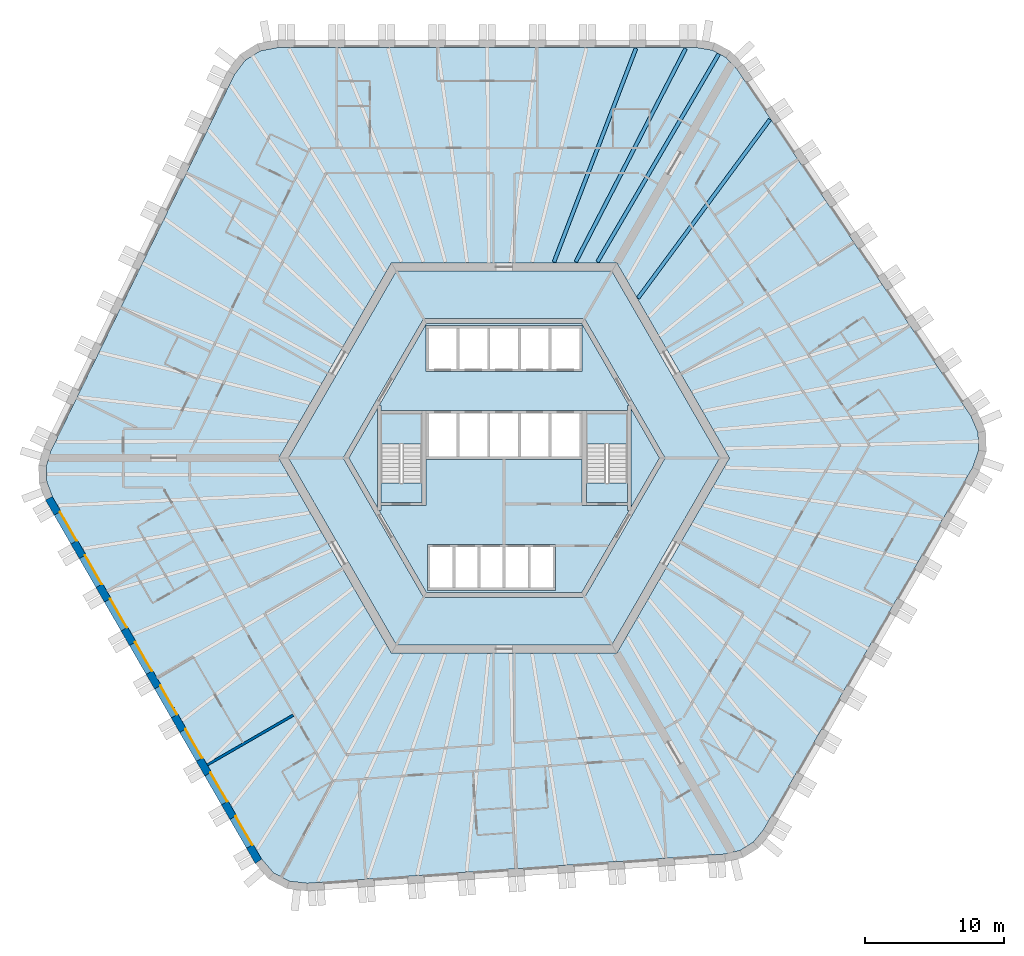
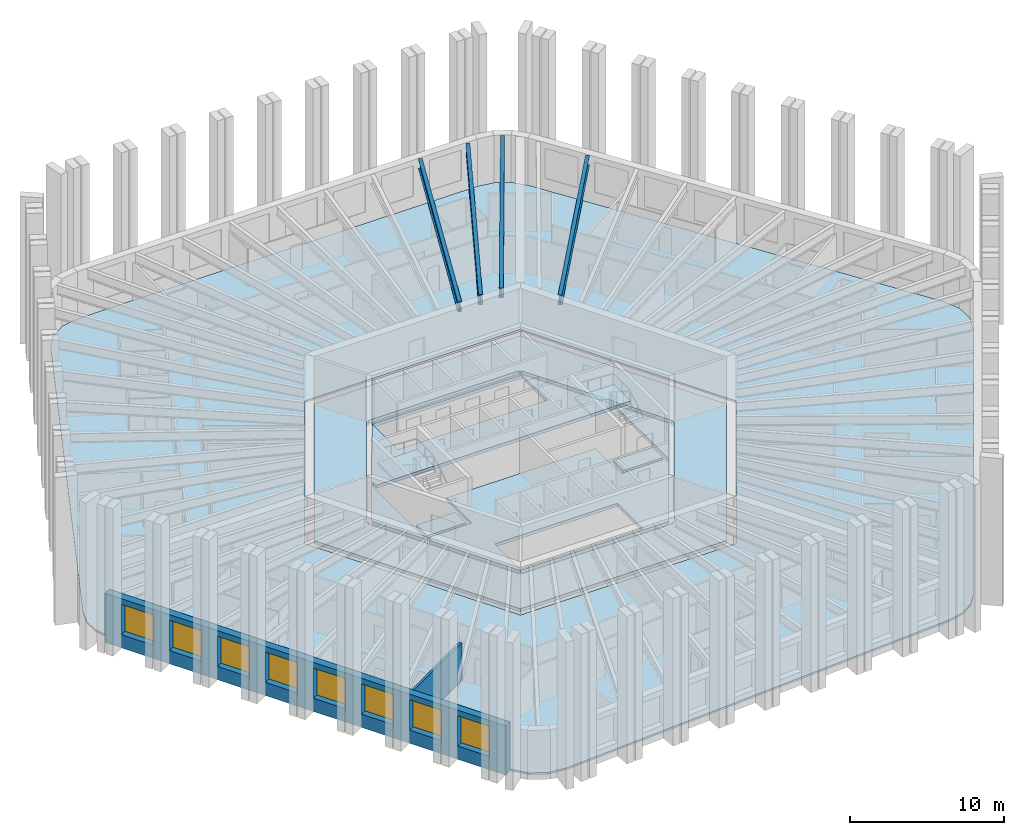
# One storey, part 2 of 12: 10 slabs, 8 windows, 4 beams, 2 walls, 8 openings, 2 elements without a shape of their own.
"""IFC4 building model written with IfcOpenShell, lengths in metres."""

import ifcopenshell
import ifcopenshell.guid

model = None  # the IFC model being written
_history = None  # IfcOwnerHistory: only IFC2X3 demands one
_inside = {}  # id of a spatial element -> (the spatial element, [elements in it])
_under = {}  # id of a project, library or spatial element -> (it, [spatial elements below it])
_declared = {}  # id of a project -> (the project, [libraries it declares])
_typed = {}  # id of a type object -> (the type object, [elements of that type])
_made_of = {}  # id of a material, layer set ... -> (it, [elements and type objects made of it])


def new_model(schema):
    """Start an empty IFC model of exactly this schema.

    Asked for "IFC4X3", IfcOpenShell would pick the latest addendum, in which some entities
    have other attributes; the version numbers below select the first issue.
    IFC2X3 requires an IfcOwnerHistory on every rooted entity: one is made here for all.
    """
    global model, _history
    if schema == "IFC4X3":
        model = ifcopenshell.file(schema_version=(4, 3, 0, 0))
    else:
        model = ifcopenshell.file(schema=schema)
    _inside.clear()
    _under.clear()
    _declared.clear()
    _typed.clear()
    _made_of.clear()
    _history = None
    if model.schema == "IFC2X3":
        org = make("IfcOrganization", Name="unknown")
        user = make(
            "IfcPersonAndOrganization",
            ThePerson=make("IfcPerson", FamilyName="unknown"),
            TheOrganization=org,
        )
        app = make(
            "IfcApplication",
            ApplicationDeveloper=org,
            Version="unknown",
            ApplicationFullName="unknown",
            ApplicationIdentifier="unknown",
        )
        _history = make(
            "IfcOwnerHistory",
            OwningUser=user,
            OwningApplication=app,
            ChangeAction="ADDED",
            CreationDate=0,
        )
    return model


def make(cls, **values):
    """One entity of the class cls with the attributes given. An attribute that is None is left unset."""
    return model.create_entity(
        cls, **{name: value for name, value in values.items() if value is not None}
    )


def rooted(cls, **values):
    """An entity with a GlobalId (a new one), such as an element, a storey or a relation."""
    return make(cls, GlobalId=ifcopenshell.guid.new(), OwnerHistory=_history, **values)


def si_unit(unit_type, name, prefix=None):
    """IfcSIUnit, for example si_unit("LENGTHUNIT", "METRE", prefix="MILLI")."""
    return make("IfcSIUnit", UnitType=unit_type, Prefix=prefix, Name=name)


def assignment(units):
    """IfcUnitAssignment: the units of a project."""
    return None if units is None else make("IfcUnitAssignment", Units=units)


def point(xyz):
    """IfcCartesianPoint."""
    return None if xyz is None else make("IfcCartesianPoint", Coordinates=xyz)


def direction(xyz):
    """IfcDirection."""
    return None if xyz is None else make("IfcDirection", DirectionRatios=xyz)


def frame(location, z_axis=None, x_axis=None):
    """IfcAxis2Placement3D, a coordinate frame: its origin and axes. An axis left out is left unset."""
    return make(
        "IfcAxis2Placement3D",
        Location=point(location),
        Axis=direction(z_axis),
        RefDirection=direction(x_axis),
    )


def frame_2d(location, x_axis=None):
    """IfcAxis2Placement2D, a coordinate frame in the plane: its origin and x axis."""
    return make(
        "IfcAxis2Placement2D", Location=point(location), RefDirection=direction(x_axis)
    )


def origin():
    """The frame at (0, 0, 0) with its axes left unset."""
    return frame((0.0, 0.0, 0.0))


def origin_2d():
    """The frame at (0, 0) in the plane with its x axis left unset."""
    return frame_2d((0.0, 0.0))


def place(relative_to, where):
    """IfcLocalPlacement: puts the frame where relative to a parent placement (None: the world)."""
    return make(
        "IfcLocalPlacement", PlacementRelTo=relative_to, RelativePlacement=where
    )


def context(
    kind, dimensions, precision=None, world=None, true_north=None, identifier=None
):
    """IfcGeometricRepresentationContext, for example the 3D "Model" context."""
    return make(
        "IfcGeometricRepresentationContext",
        ContextIdentifier=identifier,
        ContextType=kind,
        CoordinateSpaceDimension=dimensions,
        Precision=precision,
        WorldCoordinateSystem=world,
        TrueNorth=true_north,
    )


def subcontext(parent, identifier, kind, view, scale=None):
    """IfcGeometricRepresentationSubContext, for example "Body" below "Model"."""
    return make(
        "IfcGeometricRepresentationSubContext",
        ContextIdentifier=identifier,
        ContextType=kind,
        ParentContext=parent,
        TargetScale=scale,
        TargetView=view,
    )


def project(units=None, contexts=None):
    """IfcProject with its units and contexts."""
    return rooted(
        "IfcProject",
        Name="project",
        RepresentationContexts=contexts,
        UnitsInContext=assignment(units),
    )


def spatial(cls, under=None, at=None, **own):
    """A site, building, storey or space (cls), placed at a placement, below another one or the project."""
    s = rooted(cls, ObjectPlacement=at, **own)
    if under is not None:
        _under.setdefault(under.id(), (under, []))[1].append(s)
    return s


def polyline(points):
    """IfcPolyline through the points."""
    return make("IfcPolyline", Points=[point(p) for p in points])


def profile(cls, at=None, kind="AREA", **sizes):
    """A parametric profile (cls). Its sizes go by their IFC names, for example OverallWidth=200.0."""
    return make(cls, ProfileType=kind, Position=at, **sizes)


def rectangle(**sizes):
    """IfcRectangleProfileDef."""
    return profile("IfcRectangleProfileDef", **sizes)


def i_section(**sizes):
    """IfcIShapeProfileDef."""
    return profile("IfcIShapeProfileDef", **sizes)


def outline(outer, holes=None, kind="AREA"):
    """IfcArbitraryClosedProfileDef: a profile drawn as a closed curve; with holes, ...WithVoids."""
    if holes is None:
        return make("IfcArbitraryClosedProfileDef", ProfileType=kind, OuterCurve=outer)
    return make(
        "IfcArbitraryProfileDefWithVoids",
        ProfileType=kind,
        OuterCurve=outer,
        InnerCurves=holes,
    )


def extrude(swept, where, along, depth):
    """IfcExtrudedAreaSolid: the profile swept, set in the frame where, extruded along a direction by depth."""
    return make(
        "IfcExtrudedAreaSolid",
        SweptArea=swept,
        Position=where,
        ExtrudedDirection=direction(along),
        Depth=depth,
    )


def shape(context_of_items, identifier, shape_type, items):
    """IfcShapeRepresentation: the items that make up one representation, for example the "Body"."""
    return make(
        "IfcShapeRepresentation",
        ContextOfItems=context_of_items,
        RepresentationIdentifier=identifier,
        RepresentationType=shape_type,
        Items=items,
    )


def material(Name=None, Category=None):
    """IfcMaterial."""
    return make("IfcMaterial", Name=Name, Category=Category)


def layer(
    of_material, thickness, ventilated=None, Name=None, Category=None, Priority=None
):
    """IfcMaterialLayer: one layer of a wall or slab, of a material (None: an air gap)."""
    return make(
        "IfcMaterialLayer",
        Material=of_material,
        LayerThickness=thickness,
        IsVentilated=ventilated,
        Name=Name,
        Category=Category,
        Priority=Priority,
    )


def layer_set(layers, Name=None):
    """IfcMaterialLayerSet."""
    return make("IfcMaterialLayerSet", MaterialLayers=layers, LayerSetName=Name)


def material_profile(
    of_material, cross_section, Name=None, Category=None, Priority=None
):
    """IfcMaterialProfile: a cross section and its material."""
    return make(
        "IfcMaterialProfile",
        Name=Name,
        Material=of_material,
        Profile=cross_section,
        Priority=Priority,
        Category=Category,
    )


def profile_set(profiles, Name=None, composite=None):
    """IfcMaterialProfileSet."""
    return make(
        "IfcMaterialProfileSet",
        Name=Name,
        MaterialProfiles=profiles,
        CompositeProfile=composite,
    )


def made_of(thing, what):
    """Note that an element or type object is made of a material, layer set ...; save() writes the relation."""
    if what is not None:
        _made_of.setdefault(what.id(), (what, []))[1].append(thing)
    return thing


def type_object(cls, material=None, **own):
    """A type object (cls), such as IfcWallType, which elements share."""
    return made_of(rooted(cls, **own), material)


def element(
    cls,
    number,
    at=None,
    inside=None,
    cuts=None,
    type_object=None,
    material=None,
    context=None,
    identifier="Body",
    shape_type=None,
    held_by="IfcProductDefinitionShape",
    body=None,
    shapes=None,
    **own,
):
    """One element of the class cls, such as IfcWall. Its Tag is "e" and its number.

    at: its placement. inside: the storey or other place that contains it. cuts: it is an
    opening in that element (IfcRelVoidsElement). A single representation is given by context,
    identifier, shape_type and body (its items); several are given by shapes. held_by: the class
    of the entity that holds the representations. save() writes the other relations.
    """
    e = rooted(cls, Tag="e%d" % number, ObjectPlacement=at, **own)
    if body is not None:
        shapes = [shape(context, identifier, shape_type, body)]
    if shapes is not None:
        e.Representation = make(held_by, Representations=shapes)
    if inside is not None:
        _inside.setdefault(inside.id(), (inside, []))[1].append(e)
    if cuts is not None:
        rooted(
            "IfcRelVoidsElement", RelatingBuildingElement=cuts, RelatedOpeningElement=e
        )
    if type_object is not None:
        _typed.setdefault(type_object.id(), (type_object, []))[1].append(e)
    return made_of(e, material)


def fill(opening, filler):
    """IfcRelFillsElement: the door or window that sits in an opening."""
    return rooted(
        "IfcRelFillsElement",
        RelatingOpeningElement=opening,
        RelatedBuildingElement=filler,
    )


def aggregate(whole, parts):
    """IfcRelAggregates: a whole, such as a stair, and the parts it consists of."""
    return rooted("IfcRelAggregates", RelatingObject=whole, RelatedObjects=parts)


def save(model, path):
    """Write the relations noted so far, then the file.

    IfcRelAggregates (storeys below a building ...), IfcRelContainedInSpatialStructure (elements
    in a storey), IfcRelDefinesByType, IfcRelAssociatesMaterial and IfcRelDeclares: one each for
    every whole, place, type object, material and project.
    """
    for whole, parts in _under.values():
        aggregate(whole, parts)
    for where, things in _inside.values():
        rooted(
            "IfcRelContainedInSpatialStructure",
            RelatedElements=things,
            RelatingStructure=where,
        )
    for kind, things in _typed.values():
        rooted("IfcRelDefinesByType", RelatedObjects=things, RelatingType=kind)
    for what, things in _made_of.values():
        rooted("IfcRelAssociatesMaterial", RelatedObjects=things, RelatingMaterial=what)
    for by, libraries in _declared.values():
        rooted("IfcRelDeclares", RelatingContext=by, RelatedDefinitions=libraries)
    model.write(path)


model = new_model("IFC4")

# Units and contexts
model_context = context("Model", 3, precision=1e-05, world=origin(), true_north=direction((0.0, 1.0)))
body_context = subcontext(model_context, "Body", "Model", "MODEL_VIEW")
ifc_project = project(units=[si_unit("LENGTHUNIT", "METRE"), si_unit("AREAUNIT", "SQUARE_METRE"), si_unit("VOLUMEUNIT", "CUBIC_METRE"), si_unit("PLANEANGLEUNIT", "RADIAN"), si_unit("MASSUNIT", "GRAM", prefix="KILO")], contexts=[model_context])

# Site, building, storey
site_placement = place(None, origin())
site = spatial("IfcSite", under=ifc_project, at=site_placement, CompositionType="ELEMENT")
building_placement = place(site_placement, origin())
building = spatial("IfcBuilding", under=site, at=building_placement, Name="Tarnside Tower", CompositionType="ELEMENT")
storey_placement = place(building_placement, frame((0.0, 0.0, 99.89990234375)))
storey = spatial("IfcBuildingStorey", under=building, at=storey_placement, Name="L22", CompositionType="ELEMENT", Elevation=99.89990234375)

# Beams
ifc_material_1 = material(Name="Steel S355", Category="steel")
ifc_material_profile = material_profile(ifc_material_1, i_section(OverallWidth=0.2666015625, OverallDepth=0.76220703125, WebThickness=0.014404296875, FlangeThickness=0.021484375, FilletRadius=0.0166015625, at=origin_2d()), Name="UB 762x267x173")
ifc_profile_set = profile_set([ifc_material_profile], Name="Steel S355")
beam_type = type_object("IfcBeamType", Name="Floor beam UB 762x267x173", PredefinedType="BEAM", material=ifc_profile_set)
beam_1_placement = place(storey_placement, frame((13.0283203125, 29.37890625, 3.368896484375), z_axis=(-0.457973226459, -0.888965985765, 0.0), x_axis=(0.888965985765, -0.457973226459, 0.0)))
element("IfcBeam", 1, at=beam_1_placement, inside=storey, type_object=beam_type, Name="Floor beam F1.01", PredefinedType="BEAM", context=body_context, shape_type="SweptSolid", body=[
    extrude(i_section(OverallWidth=0.2666015625, OverallDepth=0.76220703125, WebThickness=0.014404296875, FlangeThickness=0.021484375, FilletRadius=0.0166015625, at=origin_2d()), origin(), (0.0, 0.0, 1.0), 17.219970703125),
])
beam_2_placement = place(storey_placement, frame((9.4619140625, 29.39404296875, 3.368896484375), z_axis=(-0.358299847269, -0.933606565662, 0.0), x_axis=(0.933606565662, -0.358299847269, 0.0)))
element("IfcBeam", 2, at=beam_2_placement, inside=storey, type_object=beam_type, Name="Floor beam F1.02", PredefinedType="BEAM", context=body_context, shape_type="SweptSolid", body=[
    extrude(i_section(OverallWidth=0.2666015625, OverallDepth=0.76220703125, WebThickness=0.014404296875, FlangeThickness=0.021484375, FilletRadius=0.0166015625, at=origin_2d()), origin(), (0.0, 0.0, 1.0), 16.428955078125),
])
beam_3_placement = place(storey_placement, frame((19.072021484375, 24.28857421875, 3.368896484375), z_axis=(-0.593986893499, -0.804474717037, 0.0), x_axis=(0.804474717037, -0.593986893499, 0.0)))
element("IfcBeam", 3, at=beam_3_placement, inside=storey, type_object=beam_type, Name="Floor beam F6.08", PredefinedType="BEAM", context=body_context, shape_type="SweptSolid", body=[
    extrude(i_section(OverallWidth=0.2666015625, OverallDepth=0.76220703125, WebThickness=0.014404296875, FlangeThickness=0.021484375, FilletRadius=0.0166015625, at=origin_2d()), origin(), (0.0, 0.0, 1.0), 15.934326171875),
])
beam_4_placement = place(storey_placement, frame((15.4013671875, 28.990478515625, 3.368896484375), z_axis=(-0.503858723096, -0.863786077198, 0.0), x_axis=(0.863786077198, -0.503858723096, 0.0)))
element("IfcBeam", 4, at=beam_4_placement, inside=storey, type_object=beam_type, Name="Floor beam C6", PredefinedType="BEAM", context=body_context, shape_type="SweptSolid", body=[
    extrude(i_section(OverallWidth=0.2666015625, OverallDepth=0.76220703125, WebThickness=0.014404296875, FlangeThickness=0.021484375, FilletRadius=0.0166015625, at=origin_2d()), origin(), (0.0, 0.0, 1.0), 17.2744140625),
])

# Slabs
ifc_material_2 = material(Name="Concrete C35/45", Category="concrete")
ifc_layer_1 = layer(ifc_material_2, 0.14990234375)
ifc_layer_set_1 = layer_set([ifc_layer_1], Name="Composite floor slab 150")
slab_type_1 = type_object("IfcSlabType", Name="Composite floor slab 150", PredefinedType="FLOOR", material=ifc_layer_set_1)
slab_1_placement = place(storey_placement, frame((0.0, 0.0, -0.14990234375)))
element("IfcSlab", 5, at=slab_1_placement, inside=storey, type_object=slab_type_1, Name="Floor slab L22", PredefinedType="FLOOR", context=body_context, shape_type="SweptSolid", body=[
    extrude(outline(polyline([(14.927490234375, 29.264892578125), (15.91455078125, 28.740234375), (16.697265625, 27.91064453125), (33.48583984375, 3.0205078125), (34.001220703125, 1.825439453125), (34.0458984375, 0.55078125), (33.614990234375, -0.67724609375), (18.603515625, -26.677978515625), (17.880615234375, -27.56005859375), (16.9326171875, -28.15234375), (15.82275390625, -28.41552734375), (-14.127197265625, -30.509765625), (-15.419921875, -30.358642578125), (-16.5458984375, -29.760009765625), (-17.39404296875, -28.772705078125), (-32.405517578125, -2.772216796875), (-32.80810546875, -1.704833984375), (-32.846923828125, -0.587890625), (-32.52001953125, 0.5048828125), (-19.358642578125, 27.4892578125), (-18.58154296875, 28.533203125), (-17.5, 29.208984375), (-16.220947265625, 29.449951171875), (13.802001953125, 29.449951171875), (14.927490234375, 29.264892578125)]), holes=[polyline([(-16.165771484375, 0.0), (-8.0830078125, -14.0), (8.0830078125, -14.0), (16.165771484375, 0.0), (8.0830078125, 14.0), (-8.0830078125, 14.0), (-16.165771484375, 0.0)])]), origin(), (0.0, 0.0, 1.0), 0.14990234375),
])
ifc_material_3 = material(Name="Concrete C40/50", Category="concrete")
ifc_layer_2 = layer(ifc_material_3, 0.25)
ifc_layer_set_2 = layer_set([ifc_layer_2], Name="Core slab C40/50")
slab_type_2 = type_object("IfcSlabType", Name="Core slab C40/50", PredefinedType="FLOOR", material=ifc_layer_set_2)
slab_2_placement = place(storey_placement, frame((0.0, 0.0, -0.25)))
element("IfcSlab", 6, at=slab_2_placement, inside=storey, type_object=slab_type_2, Name="L22 core floor slab 1", PredefinedType="FLOOR", context=body_context, shape_type="SweptSolid", body=[
    extrude(outline(polyline([(-15.472900390625, 0.0), (-7.736572265625, 13.39990234375), (7.736572265625, 13.39990234375), (15.472900390625, 0.0), (7.736572265625, -13.39990234375), (-7.736572265625, -13.39990234375), (-15.472900390625, 0.0)]), holes=[polyline([(5.823974609375, -9.91259765625), (11.49658203125, -0.08740234375), (11.344970703125, 0.0), (11.49658203125, 0.08740234375), (5.823974609375, 9.91259765625), (5.672607421875, 9.824951171875), (5.672607421875, 10.0), (-5.672607421875, 10.0), (-5.672607421875, 9.824951171875), (-5.823974609375, 9.91259765625), (-11.49658203125, 0.08740234375), (-11.344970703125, 0.0), (-11.49658203125, -0.08740234375), (-5.823974609375, -9.91259765625), (-5.672607421875, -9.824951171875), (-5.672607421875, -10.0), (5.672607421875, -10.0), (5.672607421875, -9.824951171875), (5.823974609375, -9.91259765625)])]), origin(), (0.0, 0.0, 1.0), 0.25),
])
slab_3_placement = place(storey_placement, frame((0.0, 0.0, -0.25)))
element("IfcSlab", 7, at=slab_3_placement, inside=storey, type_object=slab_type_2, Name="L22 core floor slab 2", PredefinedType="FLOOR", context=body_context, shape_type="SweptSolid", body=[
    extrude(outline(polyline([(-8.97509765625, 3.7548828125), (-5.5712890625, 9.64990234375), (5.5712890625, 9.64990234375), (8.97509765625, 3.7548828125), (8.85009765625, 3.7548828125), (8.85009765625, 3.39990234375), (5.89990234375, 3.39990234375), (5.60009765625, 3.39990234375), (5.60009765625, 3.39990234375), (-5.60009765625, 3.39990234375), (-5.89990234375, 3.39990234375), (-8.85009765625, 3.39990234375), (-8.85009765625, 3.7548828125), (-8.97509765625, 3.7548828125)]), holes=[polyline([(-5.60009765625, 6.199951171875), (5.60009765625, 6.199951171875), (5.60009765625, 6.39990234375), (5.60009765625, 9.300048828125), (5.60009765625, 9.5), (-5.60009765625, 9.5), (-5.60009765625, 9.300048828125), (-5.60009765625, 6.39990234375), (-5.60009765625, 6.199951171875)])]), origin(), (0.0, 0.0, 1.0), 0.25),
])
slab_4_placement = place(storey_placement, frame((0.0, 0.0, -0.25)))
element("IfcSlab", 8, at=slab_4_placement, inside=storey, type_object=slab_type_2, Name="L22 core floor slab 3", PredefinedType="FLOOR", context=body_context, shape_type="SweptSolid", body=[
    extrude(outline(polyline([(5.60009765625, -3.39990234375), (5.89990234375, -3.39990234375), (8.85009765625, -3.39990234375), (8.85009765625, -3.7548828125), (8.97509765625, -3.7548828125), (5.5712890625, -9.64990234375), (-5.5712890625, -9.64990234375), (-8.97509765625, -3.7548828125), (-8.85009765625, -3.7548828125), (-8.85009765625, -3.39990234375), (-5.89990234375, -3.39990234375), (-5.60009765625, -3.39990234375), (-5.60009765625, -0.10009765625), (5.60009765625, -0.10009765625), (5.60009765625, -3.39990234375)]), holes=[polyline([(-5.5, -9.300048828125), (-5.5, -9.5), (3.699951171875, -9.5), (3.699951171875, -9.300048828125), (3.699951171875, -6.39990234375), (3.699951171875, -6.199951171875), (-5.5, -6.199951171875), (-5.5, -6.39990234375), (-5.5, -9.300048828125)])]), origin(), (0.0, 0.0, 1.0), 0.25),
])
slab_5_placement = place(storey_placement, frame((0.0, 0.0, -0.25)))
element("IfcSlab", 9, at=slab_5_placement, inside=storey, type_object=slab_type_2, Name="L22 core floor slab 4", PredefinedType="FLOOR", context=body_context, shape_type="SweptSolid", body=[
    extrude(outline(polyline([(-11.142822265625, 0.0), (-9.10009765625, 3.538330078125), (-9.10009765625, -3.538330078125), (-11.142822265625, 0.0)])), origin(), (0.0, 0.0, 1.0), 0.25),
])
slab_6_placement = place(storey_placement, frame((0.0, 0.0, -0.25)))
element("IfcSlab", 10, at=slab_6_placement, inside=storey, type_object=slab_type_2, Name="L22 core floor slab 5", PredefinedType="FLOOR", context=body_context, shape_type="SweptSolid", body=[
    extrude(outline(polyline([(-8.85009765625, -1.800048828125), (-5.89990234375, -1.800048828125), (-5.89990234375, -3.199951171875), (-8.85009765625, -3.199951171875), (-8.85009765625, -1.800048828125)])), origin(), (0.0, 0.0, 1.0), 0.25),
])
slab_7_placement = place(storey_placement, frame((0.0, 0.0, -0.25)))
element("IfcSlab", 11, at=slab_7_placement, inside=storey, type_object=slab_type_2, Name="L22 core floor slab 6", PredefinedType="FLOOR", context=body_context, shape_type="SweptSolid", body=[
    extrude(outline(polyline([(5.89990234375, -3.199951171875), (5.89990234375, -1.800048828125), (8.85009765625, -1.800048828125), (8.85009765625, -3.199951171875), (5.89990234375, -3.199951171875)])), origin(), (0.0, 0.0, 1.0), 0.25),
])
slab_8_placement = place(storey_placement, frame((0.0, 0.0, -0.25)))
element("IfcSlab", 12, at=slab_8_placement, inside=storey, type_object=slab_type_2, Name="L22 core floor slab 7", PredefinedType="FLOOR", context=body_context, shape_type="SweptSolid", body=[
    extrude(outline(polyline([(9.10009765625, -3.538330078125), (9.10009765625, 3.538330078125), (11.142822265625, 0.0), (9.10009765625, -3.538330078125)])), origin(), (0.0, 0.0, 1.0), 0.25),
])

# Stair, slab
stair_type = type_object("IfcStairType", Name="Exit stair 1400 clear", PredefinedType="HALF_TURN_STAIR", material=ifc_material_3)
stair_1_placement = place(storey_placement, origin())
stair_1 = element("IfcStair", 13, at=stair_1_placement, inside=storey, type_object=stair_type, Name="L22 Exit stair 1", PredefinedType="HALF_TURN_STAIR")
ifc_layer_3 = layer(ifc_material_3, 0.199951171875)
ifc_layer_set_3 = layer_set([ifc_layer_3], Name="Stair landing 200 C40/50")
slab_type_3 = type_object("IfcSlabType", Name="Stair landing 200 C40/50", PredefinedType="LANDING", material=ifc_layer_set_3)
slab_9_placement = place(storey_placement, frame((0.0, 0.0, 1.75)))
slab_9 = element("IfcSlab", 14, at=slab_9_placement, type_object=slab_type_3, Name="ST1 landing 1", PredefinedType="LANDING", context=body_context, shape_type="SweptSolid", body=[
    extrude(outline(polyline([(8.85009765625, 1.0), (8.85009765625, 3.199951171875), (5.89990234375, 3.199951171875), (5.89990234375, 1.0), (8.85009765625, 1.0)])), origin(), (0.0, 0.0, 1.0), 0.2001953125),
])
aggregate(stair_1, [slab_9])

stair_2_placement = place(storey_placement, origin())
stair_2 = element("IfcStair", 15, at=stair_2_placement, inside=storey, type_object=stair_type, Name="L22 Exit stair 2", PredefinedType="HALF_TURN_STAIR")
slab_10_placement = place(storey_placement, frame((0.0, 0.0, 1.75)))
slab_10 = element("IfcSlab", 16, at=slab_10_placement, type_object=slab_type_3, Name="ST2 landing 1", PredefinedType="LANDING", context=body_context, shape_type="SweptSolid", body=[
    extrude(outline(polyline([(-5.89990234375, 1.0), (-5.89990234375, 3.199951171875), (-8.85009765625, 3.199951171875), (-8.85009765625, 1.0), (-5.89990234375, 1.0)])), origin(), (0.0, 0.0, 1.0), 0.2001953125),
])
aggregate(stair_2, [slab_10])

# Wall
ifc_material_4 = material(Name="Gypsum board partition on steel studs", Category="steel")
ifc_layer_4 = layer(ifc_material_4, 0.179931640625)
ifc_layer_set_4 = layer_set([ifc_layer_4], Name="Demising wall 180 EI 60")
wall_type_1 = type_object("IfcWallType", Name="Demising wall 180 EI 60", PredefinedType="PARTITIONING", material=ifc_layer_set_4)
wall_1_placement = place(storey_placement, frame((-21.298828125, -22.00927734375, 0.0), z_axis=(0.0, 0.0, 1.0), x_axis=(0.866024672353, 0.500001266874, 0.0)))
element("IfcWall", 17, at=wall_1_placement, inside=storey, type_object=wall_type_1, Name="Demising wall 07112", PredefinedType="PARTITIONING", context=body_context, shape_type="SweptSolid", body=[
    extrude(rectangle(XDim=7.125, YDim=0.179931640625, at=frame_2d((3.5625, 0.0))), origin(), (0.0, 0.0, 1.0), 2.98779296875),
])

# Wall, openings, windows
ifc_material_5 = material(Name="Facing brick", Category="masonry")
ifc_layer_5 = layer(ifc_material_5, 0.10205078125)
ifc_material_6 = material(Name="Concrete C60/75 precast", Category="concrete")
ifc_layer_6 = layer(ifc_material_6, 0.347900390625)
ifc_material_7 = material(Name="Mineral wool insulation")
ifc_layer_7 = layer(ifc_material_7, 0.10009765625)
ifc_layer_set_5 = layer_set([ifc_layer_5, ifc_layer_6, ifc_layer_7], Name="Tube wall 550 brick faced")
wall_type_2 = type_object("IfcWallType", Name="Tube wall 550 brick faced", PredefinedType="SOLIDWALL", material=ifc_layer_set_5)
wall_2_placement = place(storey_placement, frame((-32.65478515625, -2.89013671875, -0.14990234375), z_axis=(0.0, 0.0, 1.0), x_axis=(0.499997711317, -0.866026725152, 0.0)))
wall_2 = element("IfcWall", 18, at=wall_2_placement, inside=storey, type_object=wall_type_2, Name="Tube wall L22 F3 flush 08", PredefinedType="SOLIDWALL", context=body_context, shape_type="SweptSolid", body=[
    extrude(outline(polyline([(-0.0224609375, -0.27490234375), (30.0966796875, -0.27490234375), (30.04541015625, 0.27490234375), (0.0224609375, 0.27490234375), (-0.0224609375, -0.27490234375)])), origin(), (0.0, 0.0, 1.0), 3.89990234375),
])
opening_1_placement = place(wall_2_placement, frame((1.235595703125, 0.0, 1.050048828125)))
opening_1 = element("IfcOpeningElement", 19, at=opening_1_placement, cuts=wall_2, Name="Opening WH", PredefinedType="OPENING", context=body_context, shape_type="SweptSolid", body=[
    extrude(rectangle(XDim=2.39990234375, YDim=2.39990234375, at=frame_2d((1.199951171875, 1.199951171875))), frame((0.0, 0.28515625, 0.0), z_axis=(0.0, -1.0, 0.0), x_axis=(1.0, 0.0, 0.0)), (0.0, 0.0, 1.0), 0.570068359375),
])
opening_2_placement = place(wall_2_placement, frame((4.83544921875, 0.0, 1.050048828125)))
opening_2 = element("IfcOpeningElement", 20, at=opening_2_placement, cuts=wall_2, Name="Opening WH", PredefinedType="OPENING", context=body_context, shape_type="SweptSolid", body=[
    extrude(rectangle(XDim=2.39990234375, YDim=2.39990234375, at=frame_2d((1.199951171875, 1.199951171875))), frame((0.0, 0.28515625, 0.0), z_axis=(0.0, -1.0, 0.0), x_axis=(1.0, 0.0, 0.0)), (0.0, 0.0, 1.0), 0.570068359375),
])
opening_3_placement = place(wall_2_placement, frame((8.435546875, 0.0, 1.050048828125)))
opening_3 = element("IfcOpeningElement", 21, at=opening_3_placement, cuts=wall_2, Name="Opening WH", PredefinedType="OPENING", context=body_context, shape_type="SweptSolid", body=[
    extrude(rectangle(XDim=2.39990234375, YDim=2.39990234375, at=frame_2d((1.199951171875, 1.199951171875))), frame((0.0, 0.28515625, 0.0), z_axis=(0.0, -1.0, 0.0), x_axis=(1.0, 0.0, 0.0)), (0.0, 0.0, 1.0), 0.570068359375),
])
opening_4_placement = place(wall_2_placement, frame((12.035400390625, 0.0, 1.050048828125)))
opening_4 = element("IfcOpeningElement", 22, at=opening_4_placement, cuts=wall_2, Name="Opening WH", PredefinedType="OPENING", context=body_context, shape_type="SweptSolid", body=[
    extrude(rectangle(XDim=2.39990234375, YDim=2.39990234375, at=frame_2d((1.199951171875, 1.199951171875))), frame((0.0, 0.28515625, 0.0), z_axis=(0.0, -1.0, 0.0), x_axis=(1.0, 0.0, 0.0)), (0.0, 0.0, 1.0), 0.570068359375),
])
opening_5_placement = place(wall_2_placement, frame((15.635498046875, 0.0, 1.050048828125)))
opening_5 = element("IfcOpeningElement", 23, at=opening_5_placement, cuts=wall_2, Name="Opening WH", PredefinedType="OPENING", context=body_context, shape_type="SweptSolid", body=[
    extrude(rectangle(XDim=2.39990234375, YDim=2.39990234375, at=frame_2d((1.199951171875, 1.199951171875))), frame((0.0, 0.28515625, 0.0), z_axis=(0.0, -1.0, 0.0), x_axis=(1.0, 0.0, 0.0)), (0.0, 0.0, 1.0), 0.570068359375),
])
opening_6_placement = place(wall_2_placement, frame((19.235595703125, 0.0, 1.050048828125)))
opening_6 = element("IfcOpeningElement", 24, at=opening_6_placement, cuts=wall_2, Name="Opening WH", PredefinedType="OPENING", context=body_context, shape_type="SweptSolid", body=[
    extrude(rectangle(XDim=2.39990234375, YDim=2.39990234375, at=frame_2d((1.199951171875, 1.199951171875))), frame((0.0, 0.28515625, 0.0), z_axis=(0.0, -1.0, 0.0), x_axis=(1.0, 0.0, 0.0)), (0.0, 0.0, 1.0), 0.570068359375),
])
opening_7_placement = place(wall_2_placement, frame((22.83544921875, 0.0, 1.050048828125)))
opening_7 = element("IfcOpeningElement", 25, at=opening_7_placement, cuts=wall_2, Name="Opening WH", PredefinedType="OPENING", context=body_context, shape_type="SweptSolid", body=[
    extrude(rectangle(XDim=2.39990234375, YDim=2.39990234375, at=frame_2d((1.199951171875, 1.199951171875))), frame((0.0, 0.28515625, 0.0), z_axis=(0.0, -1.0, 0.0), x_axis=(1.0, 0.0, 0.0)), (0.0, 0.0, 1.0), 0.570068359375),
])
opening_8_placement = place(wall_2_placement, frame((26.435546875, 0.0, 1.050048828125)))
opening_8 = element("IfcOpeningElement", 26, at=opening_8_placement, cuts=wall_2, Name="Opening WH", PredefinedType="OPENING", context=body_context, shape_type="SweptSolid", body=[
    extrude(rectangle(XDim=2.39990234375, YDim=2.39990234375, at=frame_2d((1.199951171875, 1.199951171875))), frame((0.0, 0.28515625, 0.0), z_axis=(0.0, -1.0, 0.0), x_axis=(1.0, 0.0, 0.0)), (0.0, 0.0, 1.0), 0.570068359375),
])
ifc_material_8 = material(Name="Aluminium-framed double glazing", Category="aluminium")
window_type = type_object("IfcWindowType", Name="Hotel window 2400 x 2400", PartitioningType="DOUBLE_PANEL_VERTICAL", PredefinedType="WINDOW", material=ifc_material_8)
window_1_placement = place(opening_1_placement, frame((0.0, 0.205078125, 0.0)))
window_1 = element("IfcWindow", 27, at=window_1_placement, inside=storey, type_object=window_type, Name="E.WN.L22.F3.00", OverallHeight=2.39990234375, OverallWidth=2.39990234375, PartitioningType="DOUBLE_PANEL_VERTICAL", PredefinedType="WINDOW", context=body_context, shape_type="SweptSolid", body=[
    extrude(rectangle(XDim=2.39990234375, YDim=2.39990234375, at=frame_2d((1.199951171875, 1.199951171875))), frame((0.0, 0.030029296875, 0.0), z_axis=(0.0, -1.0, 0.0), x_axis=(1.0, 0.0, 0.0)), (0.0, 0.0, 1.0), 0.06005859375),
])
fill(opening_1, window_1)
window_2_placement = place(opening_2_placement, frame((0.0, 0.205078125, 0.0)))
window_2 = element("IfcWindow", 28, at=window_2_placement, inside=storey, type_object=window_type, Name="E.WN.L22.F3.01", OverallHeight=2.39990234375, OverallWidth=2.39990234375, PartitioningType="DOUBLE_PANEL_VERTICAL", PredefinedType="WINDOW", context=body_context, shape_type="SweptSolid", body=[
    extrude(rectangle(XDim=2.39990234375, YDim=2.39990234375, at=frame_2d((1.199951171875, 1.199951171875))), frame((0.0, 0.030029296875, 0.0), z_axis=(0.0, -1.0, 0.0), x_axis=(1.0, 0.0, 0.0)), (0.0, 0.0, 1.0), 0.06005859375),
])
fill(opening_2, window_2)
window_3_placement = place(opening_3_placement, frame((0.0, 0.205078125, 0.0)))
window_3 = element("IfcWindow", 29, at=window_3_placement, inside=storey, type_object=window_type, Name="E.WN.L22.F3.02", OverallHeight=2.39990234375, OverallWidth=2.39990234375, PartitioningType="DOUBLE_PANEL_VERTICAL", PredefinedType="WINDOW", context=body_context, shape_type="SweptSolid", body=[
    extrude(rectangle(XDim=2.39990234375, YDim=2.39990234375, at=frame_2d((1.199951171875, 1.199951171875))), frame((0.0, 0.030029296875, 0.0), z_axis=(0.0, -1.0, 0.0), x_axis=(1.0, 0.0, 0.0)), (0.0, 0.0, 1.0), 0.06005859375),
])
fill(opening_3, window_3)
window_4_placement = place(opening_4_placement, frame((0.0, 0.205078125, 0.0)))
window_4 = element("IfcWindow", 30, at=window_4_placement, inside=storey, type_object=window_type, Name="E.WN.L22.F3.03", OverallHeight=2.39990234375, OverallWidth=2.39990234375, PartitioningType="DOUBLE_PANEL_VERTICAL", PredefinedType="WINDOW", context=body_context, shape_type="SweptSolid", body=[
    extrude(rectangle(XDim=2.39990234375, YDim=2.39990234375, at=frame_2d((1.199951171875, 1.199951171875))), frame((0.0, 0.030029296875, 0.0), z_axis=(0.0, -1.0, 0.0), x_axis=(1.0, 0.0, 0.0)), (0.0, 0.0, 1.0), 0.06005859375),
])
fill(opening_4, window_4)
window_5_placement = place(opening_5_placement, frame((0.0, 0.205078125, 0.0)))
window_5 = element("IfcWindow", 31, at=window_5_placement, inside=storey, type_object=window_type, Name="E.WN.L22.F3.04", OverallHeight=2.39990234375, OverallWidth=2.39990234375, PartitioningType="DOUBLE_PANEL_VERTICAL", PredefinedType="WINDOW", context=body_context, shape_type="SweptSolid", body=[
    extrude(rectangle(XDim=2.39990234375, YDim=2.39990234375, at=frame_2d((1.199951171875, 1.199951171875))), frame((0.0, 0.030029296875, 0.0), z_axis=(0.0, -1.0, 0.0), x_axis=(1.0, 0.0, 0.0)), (0.0, 0.0, 1.0), 0.06005859375),
])
fill(opening_5, window_5)
window_6_placement = place(opening_6_placement, frame((0.0, 0.205078125, 0.0)))
window_6 = element("IfcWindow", 32, at=window_6_placement, inside=storey, type_object=window_type, Name="E.WN.L22.F3.05", OverallHeight=2.39990234375, OverallWidth=2.39990234375, PartitioningType="DOUBLE_PANEL_VERTICAL", PredefinedType="WINDOW", context=body_context, shape_type="SweptSolid", body=[
    extrude(rectangle(XDim=2.39990234375, YDim=2.39990234375, at=frame_2d((1.199951171875, 1.199951171875))), frame((0.0, 0.030029296875, 0.0), z_axis=(0.0, -1.0, 0.0), x_axis=(1.0, 0.0, 0.0)), (0.0, 0.0, 1.0), 0.06005859375),
])
fill(opening_6, window_6)
window_7_placement = place(opening_7_placement, frame((0.0, 0.205078125, 0.0)))
window_7 = element("IfcWindow", 33, at=window_7_placement, inside=storey, type_object=window_type, Name="E.WN.L22.F3.06", OverallHeight=2.39990234375, OverallWidth=2.39990234375, PartitioningType="DOUBLE_PANEL_VERTICAL", PredefinedType="WINDOW", context=body_context, shape_type="SweptSolid", body=[
    extrude(rectangle(XDim=2.39990234375, YDim=2.39990234375, at=frame_2d((1.199951171875, 1.199951171875))), frame((0.0, 0.030029296875, 0.0), z_axis=(0.0, -1.0, 0.0), x_axis=(1.0, 0.0, 0.0)), (0.0, 0.0, 1.0), 0.06005859375),
])
fill(opening_7, window_7)
window_8_placement = place(opening_8_placement, frame((0.0, 0.205078125, 0.0)))
window_8 = element("IfcWindow", 34, at=window_8_placement, inside=storey, type_object=window_type, Name="E.WN.L22.F3.07", OverallHeight=2.39990234375, OverallWidth=2.39990234375, PartitioningType="DOUBLE_PANEL_VERTICAL", PredefinedType="WINDOW", context=body_context, shape_type="SweptSolid", body=[
    extrude(rectangle(XDim=2.39990234375, YDim=2.39990234375, at=frame_2d((1.199951171875, 1.199951171875))), frame((0.0, 0.030029296875, 0.0), z_axis=(0.0, -1.0, 0.0), x_axis=(1.0, 0.0, 0.0)), (0.0, 0.0, 1.0), 0.06005859375),
])
fill(opening_8, window_8)

save(model, "model.ifc")
